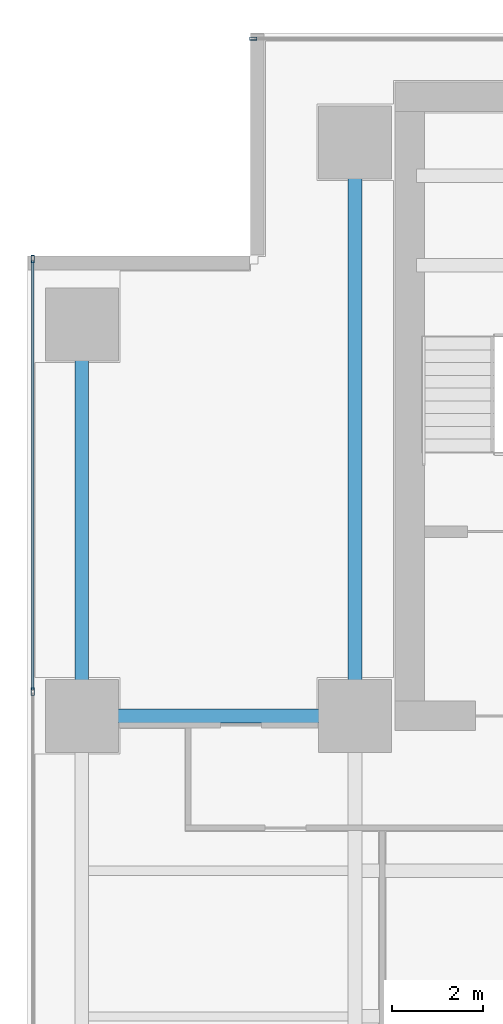
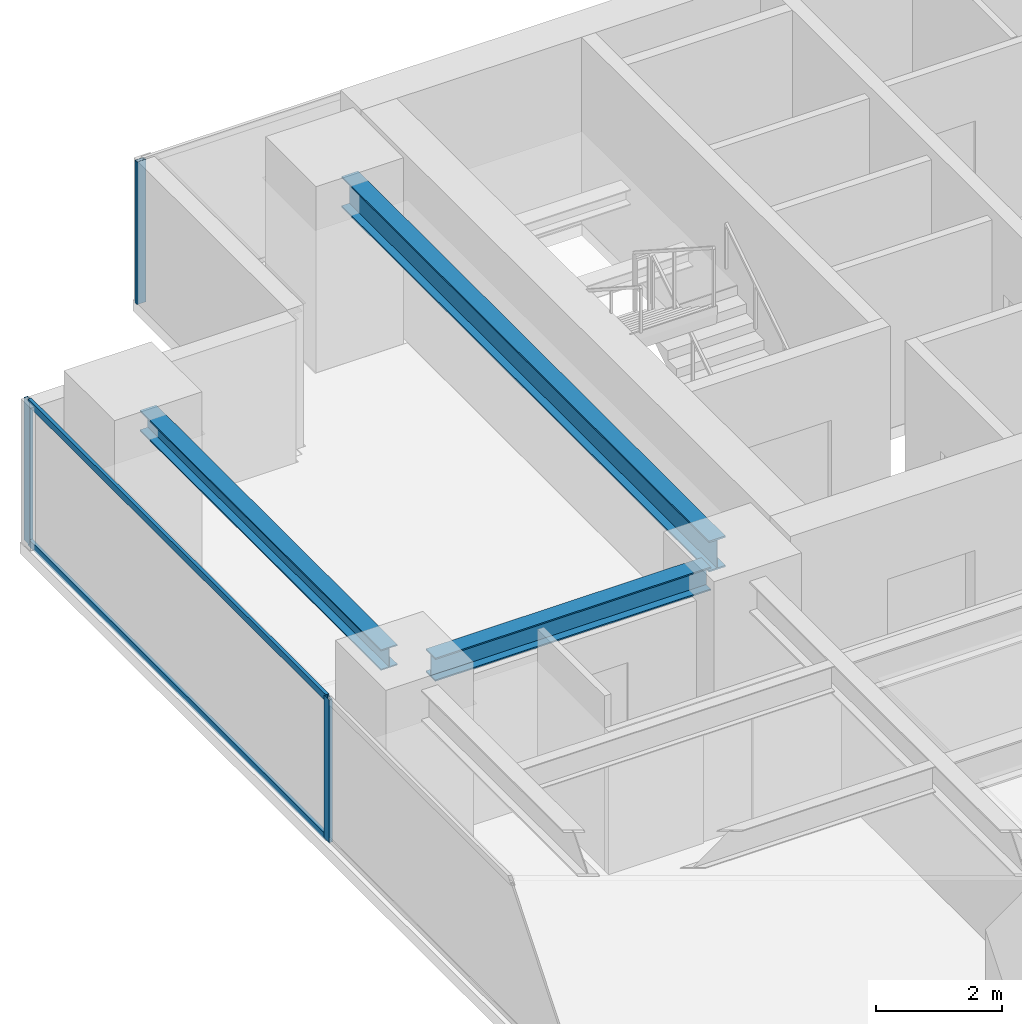
# One storey, part 14 of 27: 5 members, 3 beams, 2 elements without a shape of their own.
"""IFC4 building model written with IfcOpenShell, lengths in metres."""

from ifc_helpers import new_model, si_unit, direction, frame, origin, origin_2d, place, context, subcontext, project, spatial, hollow_rectangle, i_section, extrude, source, transform, mapped, material, layer, layer_set, material_profile, profile_set, type_object, element, aggregate, save


model = new_model("IFC4")

# Units and contexts
model_context = context("Model", 3, precision=1e-05, world=origin(), true_north=direction((0.0, 1.0)))
body_context = subcontext(model_context, "Body", "Model", "MODEL_VIEW")
ifc_project = project(units=[si_unit("LENGTHUNIT", "METRE"), si_unit("AREAUNIT", "SQUARE_METRE"), si_unit("VOLUMEUNIT", "CUBIC_METRE"), si_unit("PLANEANGLEUNIT", "RADIAN"), si_unit("MASSUNIT", "GRAM", prefix="KILO")], contexts=[model_context])

# Site, building, storey
site_placement = place(None, origin())
site = spatial("IfcSite", under=ifc_project, at=site_placement, CompositionType="ELEMENT")
building_placement = place(site_placement, origin())
building = spatial("IfcBuilding", under=site, at=building_placement, Name="Sumidabori Civic Tower", CompositionType="ELEMENT")
storey_placement = place(building_placement, frame((0.0, 0.0, 135.199951171875)))
storey = spatial("IfcBuildingStorey", under=building, at=storey_placement, Name="L34", CompositionType="ELEMENT", Elevation=135.199951171875)

# Beams
ifc_material_1 = material(Name="Steel SN490", Category="steel")
ifc_material_profile_1 = material_profile(ifc_material_1, i_section(OverallWidth=0.300048828125, OverallDepth=0.39990234375, WebThickness=0.013427734375, FlangeThickness=0.02392578125, at=origin_2d()), Name="HE 400 B")
ifc_profile_set_1 = profile_set([ifc_material_profile_1], Name="Steel SN490")
beam_type_1 = type_object("IfcBeamType", Name="BM-GIRD-400", PredefinedType="BEAM", material=ifc_profile_set_1)
shared_shape_1 = source(origin(), body_context, "Body", "SweptSolid", [
    extrude(i_section(OverallWidth=0.300048828125, OverallDepth=0.39990234375, WebThickness=0.013427734375, FlangeThickness=0.02392578125, at=origin_2d()), origin(), (0.0, 0.0, 1.0), 7.64013671875),
])
beam_1_placement = place(storey_placement, frame((-22.800048828125, 10.679931640625, 3.179931640625), z_axis=(0.0, 1.0, 0.0), x_axis=(-1.0, 0.0, 0.0)))
element("IfcBeam", 1, at=beam_1_placement, inside=storey, type_object=beam_type_1, Name="Primary Girder L34 GY-21", PredefinedType="BEAM", context=body_context, shape_type="MappedRepresentation", body=[
    mapped(shared_shape_1, transform((0.0, 0.0, 0.0), x_axis=(1.0, 0.0, 0.0), y_axis=(0.0, 1.0, 0.0), z_axis=(0.0, 0.0, 1.0), scale=1.0)),
])
ifc_material_profile_2 = material_profile(ifc_material_1, i_section(OverallWidth=0.300048828125, OverallDepth=0.60009765625, WebThickness=0.015380859375, FlangeThickness=0.030029296875, at=origin_2d()), Name="HE 600 B")
ifc_profile_set_2 = profile_set([ifc_material_profile_2], Name="Steel SN490")
beam_type_2 = type_object("IfcBeamType", Name="BM-GIRD-600", PredefinedType="BEAM", material=ifc_profile_set_2)
shared_shape_2 = source(origin(), body_context, "Body", "SweptSolid", [
    extrude(i_section(OverallWidth=0.300048828125, OverallDepth=0.60009765625, WebThickness=0.015380859375, FlangeThickness=0.030029296875, at=origin_2d()), origin(), (0.0, 0.0, 1.0), 11.64013671875),
])
beam_2_placement = place(storey_placement, frame((-16.800048828125, 10.679931640625, 3.080078125), z_axis=(0.0, 1.0, 0.0), x_axis=(-1.0, 0.0, 0.0)))
element("IfcBeam", 2, at=beam_2_placement, inside=storey, type_object=beam_type_2, Name="Primary Girder L34 GY-25", PredefinedType="BEAM", context=body_context, shape_type="MappedRepresentation", body=[
    mapped(shared_shape_2, transform((0.0, 0.0, 0.0), x_axis=(1.0, 0.0, 0.0), y_axis=(0.0, 1.0, 0.0), z_axis=(0.0, 0.0, 1.0), scale=1.0)),
])
ifc_material_profile_3 = material_profile(ifc_material_1, i_section(OverallWidth=0.300048828125, OverallDepth=0.449951171875, WebThickness=0.013916015625, FlangeThickness=0.02587890625, at=origin_2d()), Name="HE 450 B")
ifc_profile_set_3 = profile_set([ifc_material_profile_3], Name="Steel SN490")
beam_type_3 = type_object("IfcBeamType", Name="BM-GIRD-450", PredefinedType="BEAM", material=ifc_profile_set_3)
shared_shape_3 = source(origin(), body_context, "Body", "SweptSolid", [
    extrude(i_section(OverallWidth=0.300048828125, OverallDepth=0.449951171875, WebThickness=0.013916015625, FlangeThickness=0.02587890625, at=origin_2d()), origin(), (0.0, 0.0, 1.0), 5.0400390625),
])
beam_3_placement = place(storey_placement, frame((-22.320068359375, 10.199951171875, 3.155029296875), z_axis=(1.0, 0.0, 0.0), x_axis=(0.0, 1.0, 0.0)))
element("IfcBeam", 3, at=beam_3_placement, inside=storey, type_object=beam_type_3, Name="Primary Girder L34 GX-17", PredefinedType="BEAM", context=body_context, shape_type="MappedRepresentation", body=[
    mapped(shared_shape_3, transform((0.0, 0.0, 0.0), x_axis=(1.0, 0.0, 0.0), y_axis=(0.0, 1.0, 0.0), z_axis=(0.0, 0.0, 1.0), scale=1.0)),
])

# Curtain wall, member
ifc_material_2 = material(Name="Anodised Bronze Aluminium AW-6063-T6", Category="aluminium")
ifc_layer = layer(ifc_material_2, 0.179931640625, Name="Anodised Bronze Aluminium AW-6063-T6")
ifc_layer_set = layer_set([ifc_layer], Name="Anodised Bronze Aluminium AW-6063-T6")
curtain_wall_type = type_object("IfcCurtainWallType", Name="CW-SYS-3", PredefinedType="NOTDEFINED", material=ifc_layer_set)
curtain_wall_1_placement = place(storey_placement, origin())
curtain_wall_1 = element("IfcCurtainWall", 4, at=curtain_wall_1_placement, inside=storey, type_object=curtain_wall_type, Name="Curtain Wall CW:L34:R07", PredefinedType="NOTDEFINED")
ifc_material_profile_4 = material_profile(ifc_material_2, hollow_rectangle(XDim=0.06494140625, YDim=0.159912109375, WallThickness=0.0048828125, at=origin_2d()), Name="ALU MULLION 160x65")
ifc_profile_set_4 = profile_set([ifc_material_profile_4], Name="Anodised Bronze Aluminium AW-6063-T6")
member_type_1 = type_object("IfcMemberType", Name="CW-MUL-160", PredefinedType="MULLION", material=ifc_profile_set_4)
shared_shape_4 = source(origin(), body_context, "Body", "SweptSolid", [
    extrude(hollow_rectangle(XDim=0.06494140625, YDim=0.159912109375, WallThickness=0.0048828125, at=origin_2d()), origin(), (0.0, 0.0, 1.0), 2.760009765625),
])
member_1_placement = place(storey_placement, frame((-19.03759765625, 25.080078125, 0.0), z_axis=(0.0, 0.0, 1.0), x_axis=(0.0, -1.0, 0.0)))
member_1 = element("IfcMember", 5, at=member_1_placement, type_object=member_type_1, Name="CW-3 mullion 5", PredefinedType="MULLION", context=body_context, shape_type="MappedRepresentation", body=[
    mapped(shared_shape_4, transform((0.0, 0.0, 0.0), x_axis=(1.0, 0.0, 0.0), y_axis=(0.0, 1.0, 0.0), z_axis=(0.0, 0.0, 1.0), scale=1.0)),
])
aggregate(curtain_wall_1, [member_1])

# Curtain wall, members
curtain_wall_2_placement = place(storey_placement, origin())
curtain_wall_2 = element("IfcCurtainWall", 6, at=curtain_wall_2_placement, inside=storey, type_object=curtain_wall_type, Name="Curtain Wall CW:L34:R10", PredefinedType="NOTDEFINED")
member_2_placement = place(storey_placement, frame((-23.8798828125, 20.237548828125, 0.0), z_axis=(0.0, 0.0, 1.0), x_axis=(1.0, 0.0, 0.0)))
member_2 = element("IfcMember", 7, at=member_2_placement, type_object=member_type_1, Name="CW-3 mullion 1", PredefinedType="MULLION", context=body_context, shape_type="MappedRepresentation", body=[
    mapped(shared_shape_4, transform((0.0, 0.0, 0.0), x_axis=(1.0, 0.0, 0.0), y_axis=(0.0, 1.0, 0.0), z_axis=(0.0, 0.0, 1.0), scale=1.0)),
])
member_3_placement = place(storey_placement, frame((-23.8798828125, 10.735107421875, 0.0), z_axis=(0.0, 0.0, 1.0), x_axis=(1.0, 0.0, 0.0)))
member_3 = element("IfcMember", 8, at=member_3_placement, type_object=member_type_1, Name="CW-3 mullion 2", PredefinedType="MULLION", context=body_context, shape_type="MappedRepresentation", body=[
    mapped(shared_shape_4, transform((0.0, 0.0, 0.0), x_axis=(1.0, 0.0, 0.0), y_axis=(0.0, 1.0, 0.0), z_axis=(0.0, 0.0, 1.0), scale=1.0)),
])
ifc_material_profile_5 = material_profile(ifc_material_2, hollow_rectangle(XDim=0.06005859375, YDim=0.1298828125, WallThickness=0.0048828125, at=origin_2d()), Name="ALU TRANSOM 130x60")
ifc_profile_set_5 = profile_set([ifc_material_profile_5], Name="Anodised Bronze Aluminium AW-6063-T6")
member_type_2 = type_object("IfcMemberType", Name="CW-TRN-130", PredefinedType="USERDEFINED", material=ifc_profile_set_5)
shared_shape_5 = source(origin(), body_context, "Body", "SweptSolid", [
    extrude(hollow_rectangle(XDim=0.06005859375, YDim=0.1298828125, WallThickness=0.0048828125, at=origin_2d()), origin(), (0.0, 0.0, 1.0), 9.4375),
])
member_4_placement = place(storey_placement, frame((-23.8798828125, 20.205078125, 0.030029296875), z_axis=(0.0, -1.0, 0.0), x_axis=(1.0, 0.0, 0.0)))
member_4 = element("IfcMember", 9, at=member_4_placement, type_object=member_type_2, Name="CW-3 transom 1.1", ObjectType="TRANSOM", PredefinedType="USERDEFINED", context=body_context, shape_type="MappedRepresentation", body=[
    mapped(shared_shape_5, transform((0.0, 0.0, 0.0), x_axis=(1.0, 0.0, 0.0), y_axis=(0.0, 1.0, 0.0), z_axis=(0.0, 0.0, 1.0), scale=1.0)),
])
member_5_placement = place(storey_placement, frame((-23.8798828125, 20.205078125, 2.72998046875), z_axis=(0.0, -1.0, 0.0), x_axis=(1.0, 0.0, 0.0)))
member_5 = element("IfcMember", 10, at=member_5_placement, type_object=member_type_2, Name="CW-3 transom 1.2", ObjectType="TRANSOM", PredefinedType="USERDEFINED", context=body_context, shape_type="MappedRepresentation", body=[
    mapped(shared_shape_5, transform((0.0, 0.0, 0.0), x_axis=(1.0, 0.0, 0.0), y_axis=(0.0, 1.0, 0.0), z_axis=(0.0, 0.0, 1.0), scale=1.0)),
])
aggregate(curtain_wall_2, [member_2, member_3, member_4, member_5])

save(model, "model.ifc")
